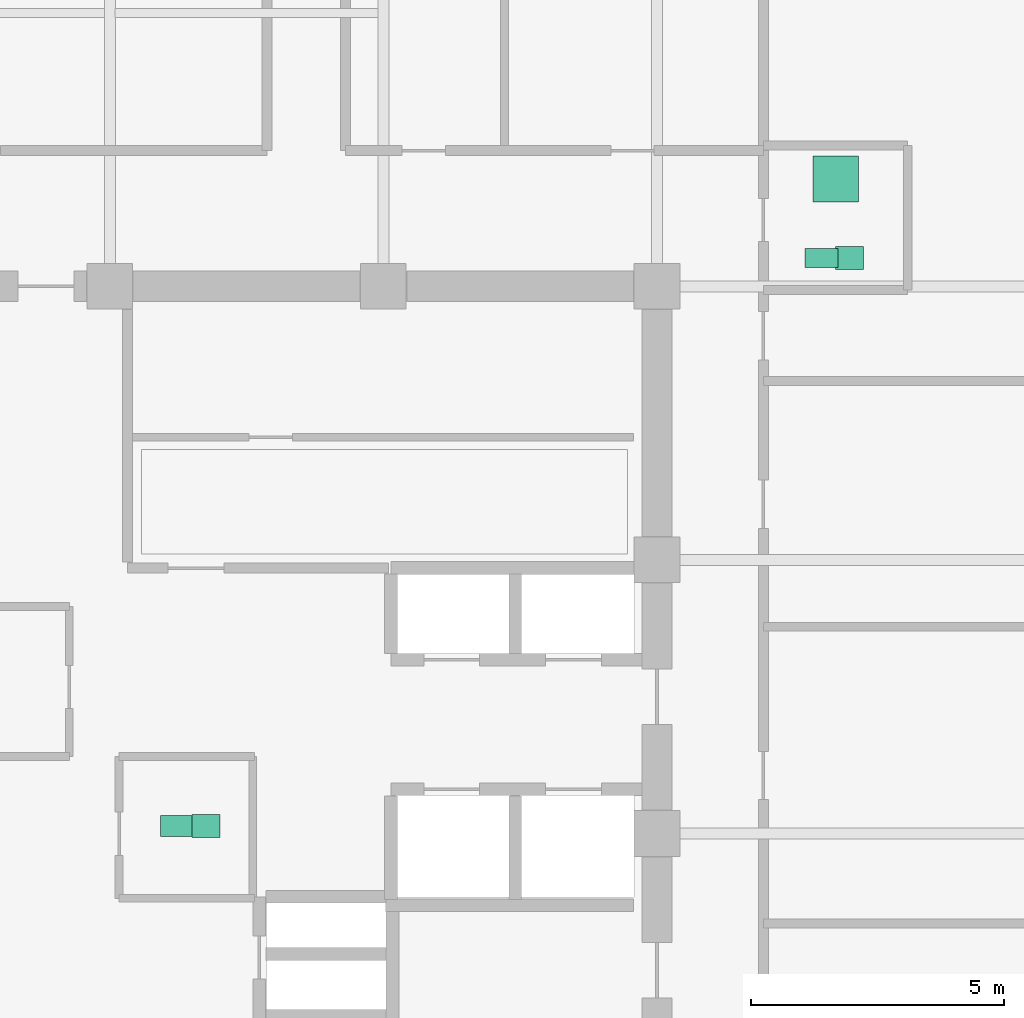
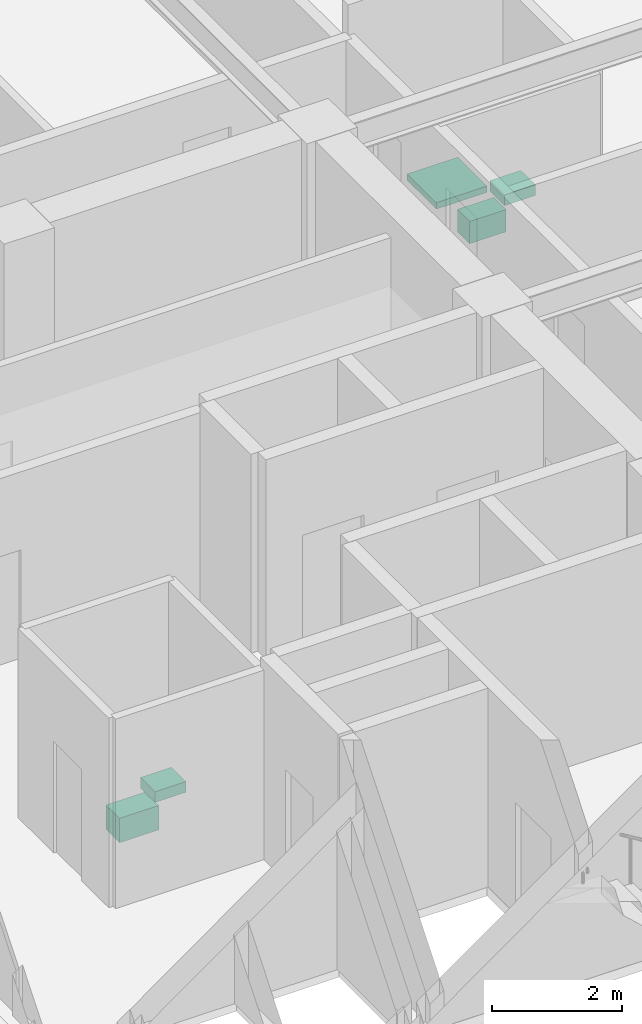
# One storey, part 32 of 32: 5 sanitary terminals.
"""IFC4 building model written with IfcOpenShell, lengths in metres."""

import ifcopenshell
import ifcopenshell.guid

model = None  # the IFC model being written
_history = None  # IfcOwnerHistory: only IFC2X3 demands one
_inside = {}  # id of a spatial element -> (the spatial element, [elements in it])
_under = {}  # id of a project, library or spatial element -> (it, [spatial elements below it])
_declared = {}  # id of a project -> (the project, [libraries it declares])
_typed = {}  # id of a type object -> (the type object, [elements of that type])
_made_of = {}  # id of a material, layer set ... -> (it, [elements and type objects made of it])


def new_model(schema):
    """Start an empty IFC model of exactly this schema.

    Asked for "IFC4X3", IfcOpenShell would pick the latest addendum, in which some entities
    have other attributes; the version numbers below select the first issue.
    IFC2X3 requires an IfcOwnerHistory on every rooted entity: one is made here for all.
    """
    global model, _history
    if schema == "IFC4X3":
        model = ifcopenshell.file(schema_version=(4, 3, 0, 0))
    else:
        model = ifcopenshell.file(schema=schema)
    _inside.clear()
    _under.clear()
    _declared.clear()
    _typed.clear()
    _made_of.clear()
    _history = None
    if model.schema == "IFC2X3":
        org = make("IfcOrganization", Name="unknown")
        user = make(
            "IfcPersonAndOrganization",
            ThePerson=make("IfcPerson", FamilyName="unknown"),
            TheOrganization=org,
        )
        app = make(
            "IfcApplication",
            ApplicationDeveloper=org,
            Version="unknown",
            ApplicationFullName="unknown",
            ApplicationIdentifier="unknown",
        )
        _history = make(
            "IfcOwnerHistory",
            OwningUser=user,
            OwningApplication=app,
            ChangeAction="ADDED",
            CreationDate=0,
        )
    return model


def make(cls, **values):
    """One entity of the class cls with the attributes given. An attribute that is None is left unset."""
    return model.create_entity(
        cls, **{name: value for name, value in values.items() if value is not None}
    )


def rooted(cls, **values):
    """An entity with a GlobalId (a new one), such as an element, a storey or a relation."""
    return make(cls, GlobalId=ifcopenshell.guid.new(), OwnerHistory=_history, **values)


def si_unit(unit_type, name, prefix=None):
    """IfcSIUnit, for example si_unit("LENGTHUNIT", "METRE", prefix="MILLI")."""
    return make("IfcSIUnit", UnitType=unit_type, Prefix=prefix, Name=name)


def assignment(units):
    """IfcUnitAssignment: the units of a project."""
    return None if units is None else make("IfcUnitAssignment", Units=units)


def point(xyz):
    """IfcCartesianPoint."""
    return None if xyz is None else make("IfcCartesianPoint", Coordinates=xyz)


def direction(xyz):
    """IfcDirection."""
    return None if xyz is None else make("IfcDirection", DirectionRatios=xyz)


def frame(location, z_axis=None, x_axis=None):
    """IfcAxis2Placement3D, a coordinate frame: its origin and axes. An axis left out is left unset."""
    return make(
        "IfcAxis2Placement3D",
        Location=point(location),
        Axis=direction(z_axis),
        RefDirection=direction(x_axis),
    )


def frame_2d(location, x_axis=None):
    """IfcAxis2Placement2D, a coordinate frame in the plane: its origin and x axis."""
    return make(
        "IfcAxis2Placement2D", Location=point(location), RefDirection=direction(x_axis)
    )


def origin():
    """The frame at (0, 0, 0) with its axes left unset."""
    return frame((0.0, 0.0, 0.0))


def origin_2d():
    """The frame at (0, 0) in the plane with its x axis left unset."""
    return frame_2d((0.0, 0.0))


def place(relative_to, where):
    """IfcLocalPlacement: puts the frame where relative to a parent placement (None: the world)."""
    return make(
        "IfcLocalPlacement", PlacementRelTo=relative_to, RelativePlacement=where
    )


def context(
    kind, dimensions, precision=None, world=None, true_north=None, identifier=None
):
    """IfcGeometricRepresentationContext, for example the 3D "Model" context."""
    return make(
        "IfcGeometricRepresentationContext",
        ContextIdentifier=identifier,
        ContextType=kind,
        CoordinateSpaceDimension=dimensions,
        Precision=precision,
        WorldCoordinateSystem=world,
        TrueNorth=true_north,
    )


def subcontext(parent, identifier, kind, view, scale=None):
    """IfcGeometricRepresentationSubContext, for example "Body" below "Model"."""
    return make(
        "IfcGeometricRepresentationSubContext",
        ContextIdentifier=identifier,
        ContextType=kind,
        ParentContext=parent,
        TargetScale=scale,
        TargetView=view,
    )


def project(units=None, contexts=None):
    """IfcProject with its units and contexts."""
    return rooted(
        "IfcProject",
        Name="project",
        RepresentationContexts=contexts,
        UnitsInContext=assignment(units),
    )


def spatial(cls, under=None, at=None, **own):
    """A site, building, storey or space (cls), placed at a placement, below another one or the project."""
    s = rooted(cls, ObjectPlacement=at, **own)
    if under is not None:
        _under.setdefault(under.id(), (under, []))[1].append(s)
    return s


def profile(cls, at=None, kind="AREA", **sizes):
    """A parametric profile (cls). Its sizes go by their IFC names, for example OverallWidth=200.0."""
    return make(cls, ProfileType=kind, Position=at, **sizes)


def rectangle(**sizes):
    """IfcRectangleProfileDef."""
    return profile("IfcRectangleProfileDef", **sizes)


def extrude(swept, where, along, depth):
    """IfcExtrudedAreaSolid: the profile swept, set in the frame where, extruded along a direction by depth."""
    return make(
        "IfcExtrudedAreaSolid",
        SweptArea=swept,
        Position=where,
        ExtrudedDirection=direction(along),
        Depth=depth,
    )


def shape(context_of_items, identifier, shape_type, items):
    """IfcShapeRepresentation: the items that make up one representation, for example the "Body"."""
    return make(
        "IfcShapeRepresentation",
        ContextOfItems=context_of_items,
        RepresentationIdentifier=identifier,
        RepresentationType=shape_type,
        Items=items,
    )


def material(Name=None, Category=None):
    """IfcMaterial."""
    return make("IfcMaterial", Name=Name, Category=Category)


def made_of(thing, what):
    """Note that an element or type object is made of a material, layer set ...; save() writes the relation."""
    if what is not None:
        _made_of.setdefault(what.id(), (what, []))[1].append(thing)
    return thing


def type_object(cls, material=None, **own):
    """A type object (cls), such as IfcWallType, which elements share."""
    return made_of(rooted(cls, **own), material)


def element(
    cls,
    number,
    at=None,
    inside=None,
    cuts=None,
    type_object=None,
    material=None,
    context=None,
    identifier="Body",
    shape_type=None,
    held_by="IfcProductDefinitionShape",
    body=None,
    shapes=None,
    **own,
):
    """One element of the class cls, such as IfcWall. Its Tag is "e" and its number.

    at: its placement. inside: the storey or other place that contains it. cuts: it is an
    opening in that element (IfcRelVoidsElement). A single representation is given by context,
    identifier, shape_type and body (its items); several are given by shapes. held_by: the class
    of the entity that holds the representations. save() writes the other relations.
    """
    e = rooted(cls, Tag="e%d" % number, ObjectPlacement=at, **own)
    if body is not None:
        shapes = [shape(context, identifier, shape_type, body)]
    if shapes is not None:
        e.Representation = make(held_by, Representations=shapes)
    if inside is not None:
        _inside.setdefault(inside.id(), (inside, []))[1].append(e)
    if cuts is not None:
        rooted(
            "IfcRelVoidsElement", RelatingBuildingElement=cuts, RelatedOpeningElement=e
        )
    if type_object is not None:
        _typed.setdefault(type_object.id(), (type_object, []))[1].append(e)
    return made_of(e, material)


def aggregate(whole, parts):
    """IfcRelAggregates: a whole, such as a stair, and the parts it consists of."""
    return rooted("IfcRelAggregates", RelatingObject=whole, RelatedObjects=parts)


def save(model, path):
    """Write the relations noted so far, then the file.

    IfcRelAggregates (storeys below a building ...), IfcRelContainedInSpatialStructure (elements
    in a storey), IfcRelDefinesByType, IfcRelAssociatesMaterial and IfcRelDeclares: one each for
    every whole, place, type object, material and project.
    """
    for whole, parts in _under.values():
        aggregate(whole, parts)
    for where, things in _inside.values():
        rooted(
            "IfcRelContainedInSpatialStructure",
            RelatedElements=things,
            RelatingStructure=where,
        )
    for kind, things in _typed.values():
        rooted("IfcRelDefinesByType", RelatedObjects=things, RelatingType=kind)
    for what, things in _made_of.values():
        rooted("IfcRelAssociatesMaterial", RelatedObjects=things, RelatingMaterial=what)
    for by, libraries in _declared.values():
        rooted("IfcRelDeclares", RelatingContext=by, RelatedDefinitions=libraries)
    model.write(path)


model = new_model("IFC4")

# Units and contexts
model_context = context("Model", 3, precision=1e-05, world=origin(), true_north=direction((0.0, 1.0)))
body_context = subcontext(model_context, "Body", "Model", "MODEL_VIEW")
ifc_project = project(units=[si_unit("LENGTHUNIT", "METRE"), si_unit("AREAUNIT", "SQUARE_METRE"), si_unit("VOLUMEUNIT", "CUBIC_METRE"), si_unit("PLANEANGLEUNIT", "RADIAN"), si_unit("MASSUNIT", "GRAM", prefix="KILO")], contexts=[model_context])

# Site, building, storey
site_placement = place(None, origin())
site = spatial("IfcSite", under=ifc_project, at=site_placement, CompositionType="ELEMENT")
building_placement = place(site_placement, origin())
building = spatial("IfcBuilding", under=site, at=building_placement, Name="Surkhivell Harbour Commons", CompositionType="ELEMENT")
storey_placement = place(building_placement, frame((0.0, 0.0, 201.0)))
storey = spatial("IfcBuildingStorey", under=building, at=storey_placement, Name="L52", CompositionType="ELEMENT", Elevation=201.0)

# Sanitary terminals
ifc_material_1 = material(Name="Vitreous china washbasin", Category="other")
sanitary_terminal_type_1 = type_object("IfcSanitaryTerminalType", Name="SAN-BSN", PredefinedType="WASHHANDBASIN", material=ifc_material_1)
for number, where, z_axis, x_axis, name in (
    (1, (1.89990234375, 0.14990234375, 0.72021484375), (0.0, 0.0, 1.0), (1.0, 0.0, 0.0), "L52 Core Accessible WC Washbasin"),
    (2, (14.60009765625, 11.360107421875, 0.72021484375), (0.0, 0.0, 1.0), (1.0, 0.0, 0.0), "L52 East Communal Bathroom WC Washbasin"),
):
    element("IfcSanitaryTerminal", number, at=place(storey_placement, frame(where, z_axis=z_axis, x_axis=x_axis)), inside=storey, type_object=sanitary_terminal_type_1, Name=name, PredefinedType="WASHHANDBASIN", context=body_context, shape_type="SweptSolid", body=[
        extrude(rectangle(XDim=0.550048828125, YDim=0.449951171875, at=origin_2d()), origin(), (0.0, 0.0, 1.0), 0.199951171875),
    ])
ifc_material_2 = material(Name="Glazed porcelain shower tray", Category="other")
sanitary_terminal_type_2 = type_object("IfcSanitaryTerminalType", Name="SAN-SHW", PredefinedType="SHOWER", material=ifc_material_2)
sanitary_terminal_1_placement = place(storey_placement, frame((14.330078125, 12.919921875, 0.0), z_axis=(0.0, 0.0, 1.0), x_axis=(1.0, 0.0, 0.0)))
element("IfcSanitaryTerminal", 3, at=sanitary_terminal_1_placement, inside=storey, type_object=sanitary_terminal_type_2, Name="L52 East Communal Shower Tray", PredefinedType="SHOWER", context=body_context, shape_type="SweptSolid", body=[
    extrude(rectangle(XDim=0.89990234375, YDim=0.89990234375, at=origin_2d()), origin(), (0.0, 0.0, 1.0), 0.1201171875),
])
ifc_material_3 = material(Name="Vitreous china sanitaryware", Category="other")
sanitary_terminal_type_3 = type_object("IfcSanitaryTerminalType", Name="SAN-WC-ACC", PredefinedType="TOILETPAN", material=ifc_material_3)
sanitary_terminal_2_placement = place(storey_placement, frame((1.35009765625, 0.14990234375, 0.169921875), z_axis=(0.0, 0.0, 1.0), x_axis=(1.0, 0.0, 0.0)))
element("IfcSanitaryTerminal", 4, at=sanitary_terminal_2_placement, inside=storey, type_object=sanitary_terminal_type_3, Name="L52 Core Accessible WC", PredefinedType="TOILETPAN", context=body_context, shape_type="SweptSolid", body=[
    extrude(rectangle(XDim=0.699951171875, YDim=0.419921875, at=origin_2d()), origin(), (0.0, 0.0, 1.0), 0.4599609375),
])
sanitary_terminal_type_4 = type_object("IfcSanitaryTerminalType", Name="SAN-WC-STD", PredefinedType="TOILETPAN", material=ifc_material_3)
sanitary_terminal_3_placement = place(storey_placement, frame((14.050048828125, 11.360107421875, 0.18994140625), z_axis=(0.0, 0.0, 1.0), x_axis=(1.0, 0.0, 0.0)))
element("IfcSanitaryTerminal", 5, at=sanitary_terminal_3_placement, inside=storey, type_object=sanitary_terminal_type_4, Name="L52 East Communal Bathroom WC", PredefinedType="TOILETPAN", context=body_context, shape_type="SweptSolid", body=[
    extrude(rectangle(XDim=0.64990234375, YDim=0.3798828125, at=origin_2d()), origin(), (0.0, 0.0, 1.0), 0.419921875),
])

save(model, "model.ifc")
